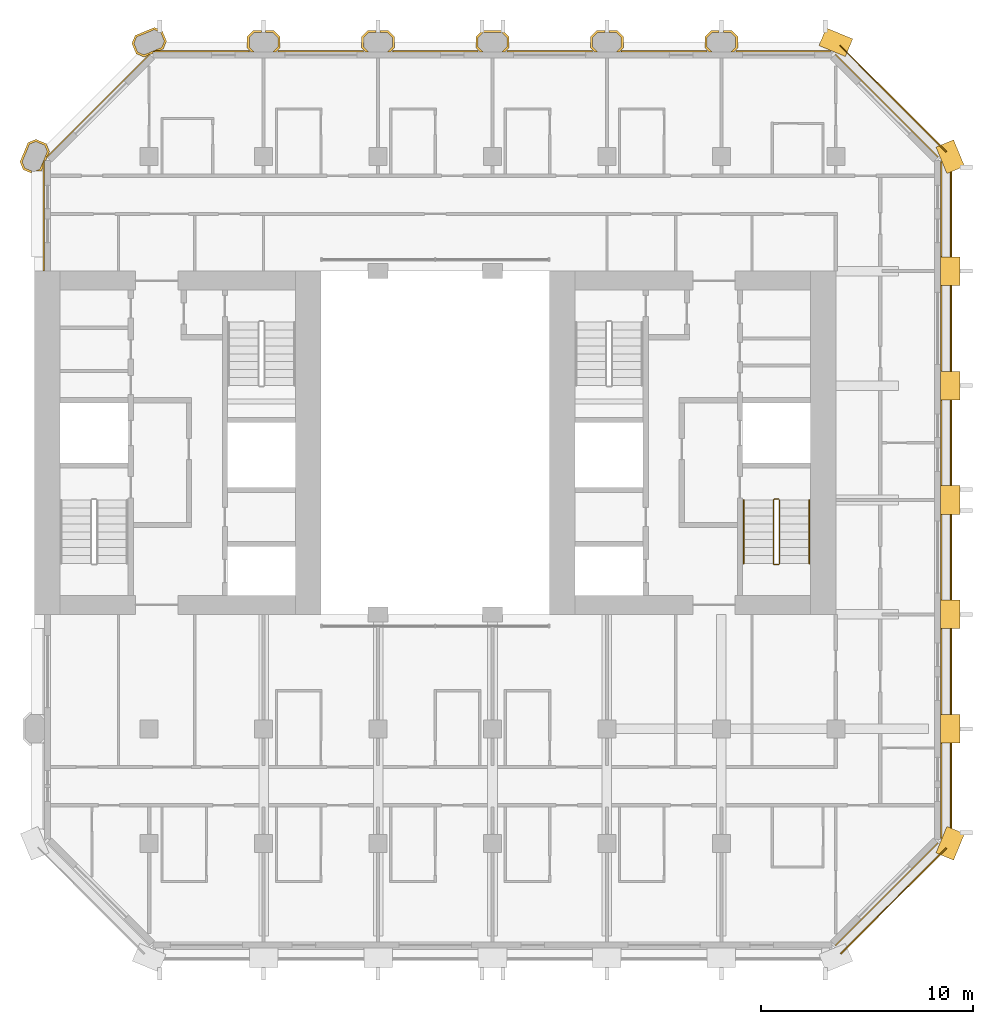
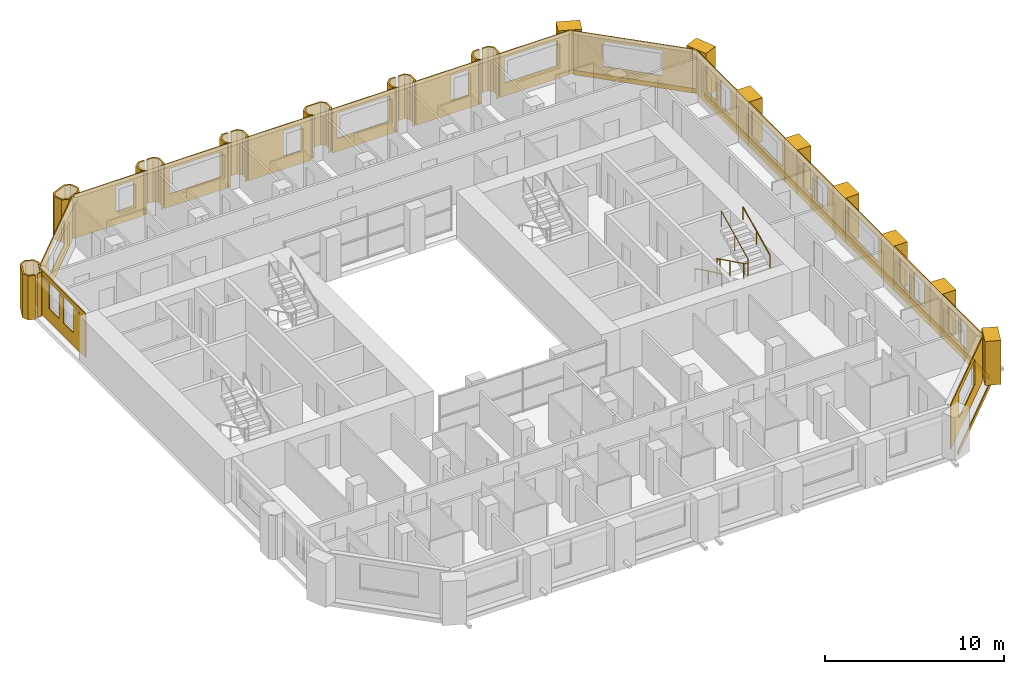
# One storey, part 13 of 13: 38 coverings, 3 railings.
"""IFC4 building model written with IfcOpenShell, lengths in metres."""

from ifc_helpers import new_model, si_unit, direction, frame, frame_2d, origin, origin_2d, place, context, subcontext, project, spatial, polyline, rectangle, circle, outline, extrude, material, layer, layer_set, type_object, element, save


model = new_model("IFC4")

# Units and contexts
model_context = context("Model", 3, precision=1e-05, world=origin(), true_north=direction((0.0, 1.0)))
body_context = subcontext(model_context, "Body", "Model", "MODEL_VIEW")
ifc_project = project(units=[si_unit("LENGTHUNIT", "METRE"), si_unit("AREAUNIT", "SQUARE_METRE"), si_unit("VOLUMEUNIT", "CUBIC_METRE"), si_unit("PLANEANGLEUNIT", "RADIAN"), si_unit("MASSUNIT", "GRAM", prefix="KILO")], contexts=[model_context])

# Site, building, storey
site_placement = place(None, origin())
site = spatial("IfcSite", under=ifc_project, at=site_placement, CompositionType="ELEMENT")
building_placement = place(site_placement, origin())
building = spatial("IfcBuilding", under=site, at=building_placement, Name="Tabaq Tower and Sports Hall", CompositionType="ELEMENT")
storey_placement = place(building_placement, frame((0.0, 0.0, 159.39990234375)))
storey = spatial("IfcBuildingStorey", under=building, at=storey_placement, Name="L37", CompositionType="ELEMENT", Elevation=159.39990234375)

# Coverings
ifc_material_1 = material(Name="Precast concrete C60/75", Category="concrete")
ifc_layer_1 = layer(ifc_material_1, 0.10009765625)
ifc_layer_set_1 = layer_set([ifc_layer_1], Name="Column cladding 100")
covering_type_1 = type_object("IfcCoveringType", Name="Column cladding 100", PredefinedType="CLADDING", material=ifc_layer_set_1)
covering_1_placement = place(storey_placement, origin())
element("IfcCovering", 1, at=covering_1_placement, inside=storey, type_object=covering_type_1, Name="Column cladding L37 PC-2H-H1", PredefinedType="CLADDING", context=body_context, shape_type="SweptSolid", body=[
    extrude(outline(polyline([(4.857421875, 37.186279296875), (4.7041015625, 37.556396484375), (5.080078125, 38.46435546875), (5.450439453125, 38.61767578125), (5.9423828125, 38.413818359375), (6.095947265625, 38.04345703125), (6.026123046875, 37.875), (5.9501953125, 37.799072265625), (5.9814453125, 37.767578125), (5.91796875, 37.614013671875), (5.849609375, 37.614013671875), (5.849609375, 37.55712890625), (5.789794921875, 37.55712890625), (5.789794921875, 37.304443359375), (5.7197265625, 37.1357421875), (5.694580078125, 37.125244140625), (5.434814453125, 37.125244140625), (5.643798828125, 37.2119140625), (5.98828125, 38.04345703125), (5.866455078125, 38.337646484375), (5.450439453125, 38.510009765625), (5.15625, 38.38818359375), (4.811767578125, 37.556396484375), (4.93359375, 37.26220703125), (5.26416015625, 37.125244140625), (5.249755859375, 37.125244140625), (5.249755859375, 37.023681640625), (4.857421875, 37.186279296875)])), origin(), (0.0, 0.0, 1.0), 3.0),
])
covering_2_placement = place(storey_placement, frame((0.0, 0.0, 0.10009765625)))
element("IfcCovering", 2, at=covering_2_placement, inside=storey, type_object=covering_type_1, Name="Column cladding L37 PC-3I-H1", PredefinedType="CLADDING", context=body_context, shape_type="SweptSolid", body=[
    extrude(outline(polyline([(9.982421875, 43.149658203125), (10.1357421875, 43.519775390625), (11.04345703125, 43.895751953125), (11.413818359375, 43.742431640625), (11.61767578125, 43.25048828125), (11.46435546875, 42.880126953125), (11.295654296875, 42.810302734375), (11.04296875, 42.810302734375), (11.04296875, 42.750244140625), (10.986083984375, 42.750244140625), (10.986083984375, 42.68212890625), (10.83251953125, 42.618408203125), (10.801025390625, 42.64990234375), (10.72509765625, 42.573974609375), (10.556396484375, 42.504150390625), (10.186279296875, 42.657470703125), (9.982421875, 43.149658203125)]), holes=[polyline([(11.510009765625, 43.25048828125), (11.337646484375, 43.66650390625), (11.04345703125, 43.788330078125), (10.2119140625, 43.44384765625), (10.08984375, 43.149658203125), (10.26220703125, 42.733642578125), (10.556396484375, 42.61181640625), (11.38818359375, 42.956298828125), (11.510009765625, 43.25048828125)])]), origin(), (0.0, 0.0, 1.0), 2.89990234375),
])
covering_3_placement = place(storey_placement, origin())
element("IfcCovering", 3, at=covering_3_placement, inside=storey, type_object=covering_type_1, Name="Column cladding L37 PC-4I-H1", PredefinedType="CLADDING", context=body_context, shape_type="SweptSolid", body=[
    extrude(outline(polyline([(16.69140625, 43.749755859375), (16.974609375, 43.46630859375), (16.974609375, 42.93359375), (16.791259765625, 42.750244140625), (16.650634765625, 42.750244140625), (16.875244140625, 42.974853515625), (16.875244140625, 43.425048828125), (16.650146484375, 43.650390625), (16.30029296875, 43.650390625), (16.30029296875, 43.749755859375), (16.69140625, 43.749755859375)])), origin(), (0.0, 0.0, 1.0), 3.0),
])
covering_4_placement = place(storey_placement, origin())
element("IfcCovering", 4, at=covering_4_placement, inside=storey, type_object=covering_type_1, Name="Column cladding L37 PC-4I-H1 2", PredefinedType="CLADDING", context=body_context, shape_type="SweptSolid", body=[
    extrude(outline(polyline([(15.42529296875, 43.46630859375), (15.708740234375, 43.749755859375), (16.099609375, 43.749755859375), (16.099609375, 43.650390625), (15.749755859375, 43.650390625), (15.524658203125, 43.425048828125), (15.524658203125, 42.974853515625), (15.749267578125, 42.750244140625), (15.608642578125, 42.750244140625), (15.42529296875, 42.93359375), (15.42529296875, 43.46630859375)])), origin(), (0.0, 0.0, 1.0), 3.0),
])
covering_5_placement = place(storey_placement, origin())
element("IfcCovering", 5, at=covering_5_placement, inside=storey, type_object=covering_type_1, Name="Column cladding L37 PC-5I-H1", PredefinedType="CLADDING", context=body_context, shape_type="SweptSolid", body=[
    extrude(outline(polyline([(22.09130859375, 43.749755859375), (22.374755859375, 43.46630859375), (22.374755859375, 42.93359375), (22.19140625, 42.750244140625), (22.05078125, 42.750244140625), (22.275390625, 42.974853515625), (22.275390625, 43.425048828125), (22.050048828125, 43.650390625), (21.7001953125, 43.650390625), (21.7001953125, 43.749755859375), (22.09130859375, 43.749755859375)])), origin(), (0.0, 0.0, 1.0), 3.0),
])
covering_6_placement = place(storey_placement, origin())
element("IfcCovering", 6, at=covering_6_placement, inside=storey, type_object=covering_type_1, Name="Column cladding L37 PC-5I-H1 2", PredefinedType="CLADDING", context=body_context, shape_type="SweptSolid", body=[
    extrude(outline(polyline([(20.8251953125, 43.46630859375), (21.108642578125, 43.749755859375), (21.499755859375, 43.749755859375), (21.499755859375, 43.650390625), (21.14990234375, 43.650390625), (20.9248046875, 43.425048828125), (20.9248046875, 42.974853515625), (21.149169921875, 42.750244140625), (21.0087890625, 42.750244140625), (20.8251953125, 42.93359375), (20.8251953125, 43.46630859375)])), origin(), (0.0, 0.0, 1.0), 3.0),
])
covering_7_placement = place(storey_placement, frame((0.0, 0.0, 0.10009765625)))
element("IfcCovering", 7, at=covering_7_placement, inside=storey, type_object=covering_type_1, Name="Column cladding L37 PC-6I-H1", PredefinedType="CLADDING", context=body_context, shape_type="SweptSolid", body=[
    extrude(outline(polyline([(26.225341796875, 43.46630859375), (26.5087890625, 43.749755859375), (27.4912109375, 43.749755859375), (27.774658203125, 43.46630859375), (27.774658203125, 42.93359375), (27.59130859375, 42.750244140625), (27.45068359375, 42.750244140625), (27.67529296875, 42.974853515625), (27.67529296875, 43.425048828125), (27.4501953125, 43.650390625), (26.5498046875, 43.650390625), (26.32470703125, 43.425048828125), (26.32470703125, 42.974853515625), (26.54931640625, 42.750244140625), (26.40869140625, 42.750244140625), (26.225341796875, 42.93359375), (26.225341796875, 43.46630859375)])), origin(), (0.0, 0.0, 1.0), 2.89990234375),
])
covering_8_placement = place(storey_placement, origin())
element("IfcCovering", 8, at=covering_8_placement, inside=storey, type_object=covering_type_1, Name="Column cladding L37 PC-7I-H1", PredefinedType="CLADDING", context=body_context, shape_type="SweptSolid", body=[
    extrude(outline(polyline([(31.625244140625, 43.46630859375), (31.90869140625, 43.749755859375), (32.2998046875, 43.749755859375), (32.2998046875, 43.650390625), (31.949951171875, 43.650390625), (31.724609375, 43.425048828125), (31.724609375, 42.974853515625), (31.94921875, 42.750244140625), (31.80859375, 42.750244140625), (31.625244140625, 42.93359375), (31.625244140625, 43.46630859375)])), origin(), (0.0, 0.0, 1.0), 3.0),
])
covering_9_placement = place(storey_placement, origin())
element("IfcCovering", 9, at=covering_9_placement, inside=storey, type_object=covering_type_1, Name="Column cladding L37 PC-7I-H1 2", PredefinedType="CLADDING", context=body_context, shape_type="SweptSolid", body=[
    extrude(outline(polyline([(32.891357421875, 43.749755859375), (33.1748046875, 43.46630859375), (33.1748046875, 42.93359375), (32.9912109375, 42.750244140625), (32.850830078125, 42.750244140625), (33.0751953125, 42.974853515625), (33.0751953125, 43.425048828125), (32.85009765625, 43.650390625), (32.500244140625, 43.650390625), (32.500244140625, 43.749755859375), (32.891357421875, 43.749755859375)])), origin(), (0.0, 0.0, 1.0), 3.0),
])
covering_10_placement = place(storey_placement, origin())
element("IfcCovering", 10, at=covering_10_placement, inside=storey, type_object=covering_type_1, Name="Column cladding L37 PC-8I-H1", PredefinedType="CLADDING", context=body_context, shape_type="SweptSolid", body=[
    extrude(outline(polyline([(37.025390625, 43.46630859375), (37.30859375, 43.749755859375), (37.69970703125, 43.749755859375), (37.69970703125, 43.650390625), (37.349853515625, 43.650390625), (37.124755859375, 43.425048828125), (37.124755859375, 42.974853515625), (37.349365234375, 42.750244140625), (37.208740234375, 42.750244140625), (37.025390625, 42.93359375), (37.025390625, 43.46630859375)])), origin(), (0.0, 0.0, 1.0), 3.0),
])
covering_11_placement = place(storey_placement, origin())
element("IfcCovering", 11, at=covering_11_placement, inside=storey, type_object=covering_type_1, Name="Column cladding L37 PC-8I-H1 2", PredefinedType="CLADDING", context=body_context, shape_type="SweptSolid", body=[
    extrude(outline(polyline([(38.291259765625, 43.749755859375), (38.57470703125, 43.46630859375), (38.57470703125, 42.93359375), (38.391357421875, 42.750244140625), (38.250732421875, 42.750244140625), (38.475341796875, 42.974853515625), (38.475341796875, 43.425048828125), (38.250244140625, 43.650390625), (37.900390625, 43.650390625), (37.900390625, 43.749755859375), (38.291259765625, 43.749755859375)])), origin(), (0.0, 0.0, 1.0), 3.0),
])
ifc_material_2 = material(Name="Precast concrete C60/75", Category="concrete")
ifc_layer_2 = layer(ifc_material_2, 0.06005859375)
ifc_layer_set_2 = layer_set([ifc_layer_2], Name="Edge beam cladding 60")
covering_type_2 = type_object("IfcCoveringType", Name="Edge beam cladding 60", PredefinedType="CLADDING", material=ifc_layer_set_2)
covering_12_placement = place(storey_placement, frame((43.432373046875, 0.18994140625, -0.2998046875), z_axis=(0.0, 0.0, 1.0), x_axis=(0.707106781187, 0.707106781187, 0.0)))
element("IfcCovering", 12, at=covering_12_placement, inside=storey, type_object=covering_type_2, Name="Edge beam cladding L37 2", PredefinedType="CLADDING", context=body_context, shape_type="SweptSolid", body=[
    extrude(rectangle(XDim=7.03955078125, YDim=0.06005859375, at=frame_2d((3.519775390625, 0.0))), origin(), (0.0, 0.0, 1.0), 0.2998046875),
])
covering_13_placement = place(storey_placement, frame((48.6298828125, 5.698486328125, -0.2998046875), z_axis=(0.0, 0.0, 1.0), x_axis=(0.0, 1.0, 0.0)))
element("IfcCovering", 13, at=covering_13_placement, inside=storey, type_object=covering_type_2, Name="Edge beam cladding L37 3", PredefinedType="CLADDING", context=body_context, shape_type="SweptSolid", body=[
    extrude(rectangle(XDim=31.802978515625, YDim=0.06005859375, at=frame_2d((15.9013671875, 0.0))), origin(), (0.0, 0.0, 1.0), 0.2998046875),
])
covering_14_placement = place(storey_placement, frame((48.41015625, 38.0322265625, -0.2998046875), z_axis=(0.0, 0.0, 1.0), x_axis=(-0.707106781187, 0.707106781187, 0.0)))
element("IfcCovering", 14, at=covering_14_placement, inside=storey, type_object=covering_type_2, Name="Edge beam cladding L37 4", PredefinedType="CLADDING", context=body_context, shape_type="SweptSolid", body=[
    extrude(rectangle(XDim=7.08837890625, YDim=0.06005859375, at=frame_2d((3.544189453125, 0.0))), origin(), (0.0, 0.0, 1.0), 0.2998046875),
])
ifc_material_3 = material(Name="White precast concrete C60/75", Category="concrete")
covering_type_3 = type_object("IfcCoveringType", Name="Pier cladding hung 1350x900", PredefinedType="CLADDING", material=ifc_material_3)
for number, where, z_axis, x_axis, name in (
    (15, (43.82373046875, 42.941650390625, 0.0), (0.0, 0.0, 1.0), (-0.923893411637, 0.382649923473, 0.0), "Hung pier cladding 8/8"),
    (16, (48.341796875, 4.7763671875, 0.0), (0.0, 0.0, 1.0), (0.382649923473, 0.923893411637, 0.0), "Hung pier cladding 9/1"),
    (17, (48.60009765625, 10.125, 0.0), (0.0, 0.0, 1.0), (0.0, 1.0, 0.0), "Hung pier cladding 9/2"),
    (18, (48.60009765625, 15.52490234375, 0.0), (0.0, 0.0, 1.0), (0.0, 1.0, 0.0), "Hung pier cladding 9/3"),
):
    element("IfcCovering", number, at=place(storey_placement, frame(where, z_axis=z_axis, x_axis=x_axis)), inside=storey, type_object=covering_type_3, Name=name, PredefinedType="CLADDING", context=body_context, shape_type="SweptSolid", body=[
        extrude(rectangle(XDim=1.35009765625, YDim=0.89990234375, at=frame_2d((0.675048828125, 0.0))), origin(), (0.0, 0.0, 1.0), 3.0),
    ])
covering_15_placement = place(storey_placement, frame((48.60009765625, 20.925048828125, 0.0), z_axis=(0.0, 0.0, 1.0), x_axis=(0.0, 1.0, 0.0)))
element("IfcCovering", 19, at=covering_15_placement, inside=storey, type_object=covering_type_3, Name="Hung pier cladding 9/4", PredefinedType="CLADDING", context=body_context, shape_type="SweptSolid", body=[
    extrude(rectangle(XDim=1.349853515625, YDim=0.89990234375, at=frame_2d((0.6748046875, 0.0))), origin(), (0.0, 0.0, 1.0), 3.0),
])
covering_16_placement = place(storey_placement, frame((48.60009765625, 26.324951171875, 0.0), z_axis=(0.0, 0.0, 1.0), x_axis=(0.0, 1.0, 0.0)))
element("IfcCovering", 20, at=covering_16_placement, inside=storey, type_object=covering_type_3, Name="Hung pier cladding 9/5", PredefinedType="CLADDING", context=body_context, shape_type="SweptSolid", body=[
    extrude(rectangle(XDim=1.35009765625, YDim=0.89990234375, at=frame_2d((0.675048828125, 0.0))), origin(), (0.0, 0.0, 1.0), 3.0),
])
covering_17_placement = place(storey_placement, frame((48.60009765625, 31.72509765625, 0.0), z_axis=(0.0, 0.0, 1.0), x_axis=(0.0, 1.0, 0.0)))
element("IfcCovering", 21, at=covering_17_placement, inside=storey, type_object=covering_type_3, Name="Hung pier cladding 9/6", PredefinedType="CLADDING", context=body_context, shape_type="SweptSolid", body=[
    extrude(rectangle(XDim=1.349853515625, YDim=0.89990234375, at=frame_2d((0.6748046875, 0.0))), origin(), (0.0, 0.0, 1.0), 3.0),
])
covering_18_placement = place(storey_placement, frame((48.8583984375, 37.17626953125, 0.0), z_axis=(0.0, 0.0, 1.0), x_axis=(-0.382649923473, 0.923893411637, 0.0)))
element("IfcCovering", 22, at=covering_18_placement, inside=storey, type_object=covering_type_3, Name="Hung pier cladding 9/7", PredefinedType="CLADDING", context=body_context, shape_type="SweptSolid", body=[
    extrude(rectangle(XDim=1.35009765625, YDim=0.89990234375, at=frame_2d((0.675048828125, 0.0))), origin(), (0.0, 0.0, 1.0), 3.0),
])

# Railings
ifc_material_4 = material(Name="Stainless steel", Category="steel")
railing_type_1 = type_object("IfcRailingType", Name="Stair guard", PredefinedType="GUARDRAIL", material=ifc_material_4)
railing_1_placement = place(storey_placement, frame((40.5, 21.64990234375, 0.0)))
element("IfcRailing", 23, at=railing_1_placement, inside=storey, type_object=railing_type_1, Name="L37 ST3 stair guard 1", PredefinedType="GUARDRAIL", context=body_context, shape_type="SweptSolid", body=[
    extrude(circle(Radius=0.02392578125, at=origin_2d()), frame((0.0, 0.0, 1.076171875), z_axis=(-1.0, 0.0, 0.0), x_axis=(0.0, -1.0, 0.0)), (0.0, 0.0, 1.0), 0.199951171875),
    extrude(circle(Radius=0.02392578125, at=origin_2d()), frame((-0.199951171875, 0.0, 1.076171875), z_axis=(-0.254733673405, -0.25349107012, 0.933195066962), x_axis=(0.705375805398, -0.708833529934, 0.0)), (0.0, 0.0, 1.0), 0.196533203125),
    extrude(circle(Radius=0.02392578125, at=origin_2d()), frame((-0.25, -0.0498046875, 1.25927734375), z_axis=(0.0, -0.898368975038, 0.439241601728), x_axis=(1.0, 0.0, 0.0)), (0.0, 0.0, 1.0), 3.33935546875),
    extrude(circle(Radius=0.02392578125, at=origin_2d()), frame((-0.25, -3.0498046875, 2.72607421875), z_axis=(0.707106781187, -0.707106781187, 0.0), x_axis=(0.707106781187, 0.707106781187, 0.0)), (0.0, 0.0, 1.0), 0.07080078125),
    extrude(circle(Radius=0.02392578125, at=origin_2d()), frame((-0.199951171875, -3.099853515625, 2.72607421875), z_axis=(1.0, 0.0, 0.0), x_axis=(0.0, 1.0, 0.0)), (0.0, 0.0, 1.0), 0.199951171875),
    extrude(circle(Radius=0.02392578125, at=origin_2d()), frame((0.0, -3.099853515625, 2.72607421875), z_axis=(0.254653276557, 0.254653276557, 0.932900539971), x_axis=(-0.707106781187, 0.707106781187, 0.0)), (0.0, 0.0, 1.0), 0.196533203125),
    extrude(circle(Radius=0.02392578125, at=origin_2d()), frame((0.050048828125, -3.0498046875, 2.90966796875), z_axis=(0.0, 0.898397823093, 0.439182594671), x_axis=(-1.0, 0.0, 0.0)), (0.0, 0.0, 1.0), 3.33935546875),
    extrude(circle(Radius=0.02099609375, at=origin_2d()), origin(), (0.0, 0.0, 1.0), 1.052001953125),
    extrude(circle(Radius=0.02099609375, at=origin_2d()), frame((-0.199951171875, 0.0, 0.0)), (0.0, 0.0, 1.0), 1.052001953125),
    extrude(circle(Radius=0.02099609375, at=origin_2d()), frame((-0.25, -0.0498046875, 0.183349609375)), (0.0, 0.0, 1.0), 1.052001953125),
    extrude(circle(Radius=0.02099609375, at=origin_2d()), frame((-0.25, -1.5498046875, 0.916748046875)), (0.0, 0.0, 1.0), 1.052001953125),
    extrude(circle(Radius=0.02099609375, at=origin_2d()), frame((-0.25, -3.0498046875, 1.650146484375)), (0.0, 0.0, 1.0), 1.052001953125),
    extrude(circle(Radius=0.02099609375, at=origin_2d()), frame((-0.199951171875, -3.099853515625, 1.650146484375)), (0.0, 0.0, 1.0), 1.052001953125),
    extrude(circle(Radius=0.02099609375, at=origin_2d()), frame((0.0, -3.099853515625, 1.650146484375)), (0.0, 0.0, 1.0), 1.052001953125),
    extrude(circle(Radius=0.02099609375, at=origin_2d()), frame((0.050048828125, -3.0498046875, 1.83349609375)), (0.0, 0.0, 1.0), 1.052001953125),
    extrude(circle(Radius=0.02099609375, at=origin_2d()), frame((0.050048828125, -1.5498046875, 2.56689453125)), (0.0, 0.0, 1.0), 1.052001953125),
    extrude(circle(Radius=0.02099609375, at=origin_2d()), frame((0.050048828125, -0.0498046875, 3.300048828125)), (0.0, 0.0, 1.0), 1.052001953125),
])
ifc_material_5 = material(Name="Stainless steel", Category="steel")
railing_type_2 = type_object("IfcRailingType", Name="Stair handrail", PredefinedType="HANDRAIL", material=ifc_material_5)
railing_2_placement = place(storey_placement, frame((38.85009765625, 21.60009765625, 0.183349609375)))
element("IfcRailing", 24, at=railing_2_placement, inside=storey, type_object=railing_type_2, Name="L37 ST3 stair handrail 1", PredefinedType="HANDRAIL", context=body_context, shape_type="SweptSolid", body=[
    extrude(circle(Radius=0.02392578125, at=origin_2d()), frame((0.0, 0.0, 0.8759765625), z_axis=(0.0, -0.898368975038, 0.439241601728), x_axis=(1.0, 0.0, 0.0)), (0.0, 0.0, 1.0), 3.33935546875),
    extrude(circle(Radius=0.02099609375, at=origin_2d()), origin(), (0.0, 0.0, 1.0), 0.851806640625),
    extrude(circle(Radius=0.02099609375, at=origin_2d()), frame((0.0, -1.5, 0.7333984375)), (0.0, 0.0, 1.0), 0.851806640625),
    extrude(circle(Radius=0.02099609375, at=origin_2d()), frame((0.0, -3.0, 1.466796875)), (0.0, 0.0, 1.0), 0.851806640625),
])
railing_3_placement = place(storey_placement, frame((41.949951171875, 18.60009765625, 1.83349609375)))
element("IfcRailing", 25, at=railing_3_placement, inside=storey, type_object=railing_type_2, Name="L37 ST3 stair handrail 2", PredefinedType="HANDRAIL", context=body_context, shape_type="SweptSolid", body=[
    extrude(circle(Radius=0.02392578125, at=origin_2d()), frame((0.0, 0.0, 0.8759765625), z_axis=(0.0, 0.898397823093, 0.439182594671), x_axis=(-1.0, 0.0, 0.0)), (0.0, 0.0, 1.0), 3.33935546875),
    extrude(circle(Radius=0.02099609375, at=origin_2d()), origin(), (0.0, 0.0, 1.0), 0.851806640625),
    extrude(circle(Radius=0.02099609375, at=origin_2d()), frame((0.0, 1.5, 0.7333984375)), (0.0, 0.0, 1.0), 0.851806640625),
    extrude(circle(Radius=0.02099609375, at=origin_2d()), frame((0.0, 3.0, 1.466552734375)), (0.0, 0.0, 1.0), 0.851806640625),
])

# Coverings
ifc_material_6 = material(Name="Precast concrete C60/75", Category="concrete")
ifc_layer_3 = layer(ifc_material_6, 0.06005859375)
ifc_layer_set_3 = layer_set([ifc_layer_3], Name="White precast cladding panel 60 C60/75")
covering_type_4 = type_object("IfcCoveringType", Name="White precast cladding panel 60 C60/75", PredefinedType="CLADDING", material=ifc_layer_set_3)
covering_19_placement = place(storey_placement, frame((43.177734375, 0.57177734375, 0.0), z_axis=(0.0, 0.0, 1.0), x_axis=(0.707106781187, 0.707106781187, 0.0)))
element("IfcCovering", 26, at=covering_19_placement, inside=storey, type_object=covering_type_4, Name="White precast cladding panel L37 wall01", PredefinedType="CLADDING", context=body_context, shape_type="SweptSolid", body=[
    extrude(outline(polyline([(0.0, 0.0), (6.85986328125, 0.0), (6.85986328125, 3.0), (0.0, 3.0), (0.0, 0.0)]), holes=[polyline([(1.7197265625, 0.89013671875), (1.7197265625, 2.610107421875), (5.139892578125, 2.610107421875), (5.139892578125, 0.89013671875), (1.7197265625, 0.89013671875)])]), frame((0.0, 0.030029296875, 0.0), z_axis=(0.0, -1.0, 0.0), x_axis=(1.0, 0.0, 0.0)), (0.0, 0.0, 1.0), 0.06005859375),
])
covering_20_placement = place(storey_placement, frame((48.179931640625, 5.64306640625, 0.0), z_axis=(0.0, 0.0, 1.0), x_axis=(0.0, 1.0, 0.0)))
element("IfcCovering", 27, at=covering_20_placement, inside=storey, type_object=covering_type_4, Name="White precast cladding panel L37 wall02", PredefinedType="CLADDING", context=body_context, shape_type="SweptSolid", body=[
    extrude(outline(polyline([(0.0, 0.0), (4.471923828125, 0.0), (4.471923828125, 3.0), (0.0, 3.0), (0.0, 0.0)]), holes=[polyline([(1.721923828125, 2.610107421875), (2.391845703125, 2.610107421875), (2.391845703125, 0.89013671875), (1.721923828125, 0.89013671875), (1.721923828125, 2.610107421875)]), polyline([(2.69677734375, 2.610107421875), (3.81689453125, 2.610107421875), (3.81689453125, 0.89013671875), (2.69677734375, 0.89013671875), (2.69677734375, 2.610107421875)])]), frame((0.0, 0.030029296875, 0.0), z_axis=(0.0, -1.0, 0.0), x_axis=(1.0, 0.0, 0.0)), (0.0, 0.0, 1.0), 0.06005859375),
])
covering_21_placement = place(storey_placement, frame((48.179931640625, 11.485107421875, 0.0), z_axis=(0.0, 0.0, 1.0), x_axis=(0.0, 1.0, 0.0)))
element("IfcCovering", 28, at=covering_21_placement, inside=storey, type_object=covering_type_4, Name="White precast cladding panel L37 wall02 2", PredefinedType="CLADDING", context=body_context, shape_type="SweptSolid", body=[
    extrude(outline(polyline([(0.0, 0.0), (4.02978515625, 0.0), (4.02978515625, 3.0), (0.0, 3.0), (0.0, 0.0)]), holes=[polyline([(0.655029296875, 2.610107421875), (1.77490234375, 2.610107421875), (1.77490234375, 0.89013671875), (0.655029296875, 0.89013671875), (0.655029296875, 2.610107421875)]), polyline([(2.2548828125, 2.610107421875), (3.375, 2.610107421875), (3.375, 0.89013671875), (2.2548828125, 0.89013671875), (2.2548828125, 2.610107421875)])]), frame((0.0, 0.030029296875, 0.0), z_axis=(0.0, -1.0, 0.0), x_axis=(1.0, 0.0, 0.0)), (0.0, 0.0, 1.0), 0.06005859375),
])
covering_22_placement = place(storey_placement, frame((48.179931640625, 16.885009765625, 0.0), z_axis=(0.0, 0.0, 1.0), x_axis=(0.0, 1.0, 0.0)))
element("IfcCovering", 29, at=covering_22_placement, inside=storey, type_object=covering_type_4, Name="White precast cladding panel L37 wall02 3", PredefinedType="CLADDING", context=body_context, shape_type="SweptSolid", body=[
    extrude(outline(polyline([(0.0, 0.0), (4.030029296875, 0.0), (4.030029296875, 3.0), (0.0, 3.0), (0.0, 0.0)]), holes=[polyline([(0.304931640625, 0.89013671875), (0.304931640625, 2.610107421875), (3.72509765625, 2.610107421875), (3.72509765625, 0.89013671875), (0.304931640625, 0.89013671875)])]), frame((0.0, 0.030029296875, 0.0), z_axis=(0.0, -1.0, 0.0), x_axis=(1.0, 0.0, 0.0)), (0.0, 0.0, 1.0), 0.06005859375),
])
covering_23_placement = place(storey_placement, frame((48.179931640625, 22.284912109375, 0.0), z_axis=(0.0, 0.0, 1.0), x_axis=(0.0, 1.0, 0.0)))
element("IfcCovering", 30, at=covering_23_placement, inside=storey, type_object=covering_type_4, Name="White precast cladding panel L37 wall02 4", PredefinedType="CLADDING", context=body_context, shape_type="SweptSolid", body=[
    extrude(outline(polyline([(0.0, 0.0), (4.030029296875, 0.0), (4.030029296875, 3.0), (0.0, 3.0), (0.0, 0.0)]), holes=[polyline([(0.655029296875, 2.610107421875), (1.77490234375, 2.610107421875), (1.77490234375, 0.89013671875), (0.655029296875, 0.89013671875), (0.655029296875, 2.610107421875)]), polyline([(2.2548828125, 2.610107421875), (3.375, 2.610107421875), (3.375, 0.89013671875), (2.2548828125, 0.89013671875), (2.2548828125, 2.610107421875)])]), frame((0.0, 0.030029296875, 0.0), z_axis=(0.0, -1.0, 0.0), x_axis=(1.0, 0.0, 0.0)), (0.0, 0.0, 1.0), 0.06005859375),
])
covering_24_placement = place(storey_placement, frame((48.179931640625, 27.68505859375, 0.0), z_axis=(0.0, 0.0, 1.0), x_axis=(0.0, 1.0, 0.0)))
element("IfcCovering", 31, at=covering_24_placement, inside=storey, type_object=covering_type_4, Name="White precast cladding panel L37 wall02 5", PredefinedType="CLADDING", context=body_context, shape_type="SweptSolid", body=[
    extrude(outline(polyline([(0.0, 0.0), (4.030029296875, 0.0), (4.030029296875, 3.0), (0.0, 3.0), (0.0, 0.0)]), holes=[polyline([(0.304931640625, 0.89013671875), (0.304931640625, 2.610107421875), (3.72509765625, 2.610107421875), (3.72509765625, 0.89013671875), (0.304931640625, 0.89013671875)])]), frame((0.0, 0.030029296875, 0.0), z_axis=(0.0, -1.0, 0.0), x_axis=(1.0, 0.0, 0.0)), (0.0, 0.0, 1.0), 0.06005859375),
])
covering_25_placement = place(storey_placement, frame((48.179931640625, 33.0849609375, 0.0), z_axis=(0.0, 0.0, 1.0), x_axis=(0.0, 1.0, 0.0)))
element("IfcCovering", 32, at=covering_25_placement, inside=storey, type_object=covering_type_4, Name="White precast cladding panel L37 wall02 6", PredefinedType="CLADDING", context=body_context, shape_type="SweptSolid", body=[
    extrude(outline(polyline([(0.0, 0.0), (4.471923828125, 0.0), (4.471923828125, 3.0), (0.0, 3.0), (0.0, 0.0)]), holes=[polyline([(0.655029296875, 2.610107421875), (1.77490234375, 2.610107421875), (1.77490234375, 0.89013671875), (0.655029296875, 0.89013671875), (0.655029296875, 2.610107421875)]), polyline([(2.2548828125, 2.610107421875), (3.375, 2.610107421875), (3.375, 0.89013671875), (2.2548828125, 0.89013671875), (2.2548828125, 2.610107421875)])]), frame((0.0, 0.030029296875, 0.0), z_axis=(0.0, -1.0, 0.0), x_axis=(1.0, 0.0, 0.0)), (0.0, 0.0, 1.0), 0.06005859375),
])
covering_26_placement = place(storey_placement, frame((48.0283203125, 37.77783203125, 0.0), z_axis=(0.0, 0.0, 1.0), x_axis=(-0.707124576528, 0.707088985397, 0.0)))
element("IfcCovering", 33, at=covering_26_placement, inside=storey, type_object=covering_type_4, Name="White precast cladding panel L37 wall03", PredefinedType="CLADDING", context=body_context, shape_type="SweptSolid", body=[
    extrude(outline(polyline([(0.0, 0.0), (6.859619140625, 0.0), (6.859619140625, 3.0), (0.0, 3.0), (0.0, 0.0)]), holes=[polyline([(1.7197265625, 0.89013671875), (1.7197265625, 2.610107421875), (5.139892578125, 2.610107421875), (5.139892578125, 0.89013671875), (1.7197265625, 0.89013671875)])]), frame((0.0, 0.030029296875, 0.0), z_axis=(0.0, -1.0, 0.0), x_axis=(1.0, 0.0, 0.0)), (0.0, 0.0, 1.0), 0.06005859375),
])
covering_27_placement = place(storey_placement, frame((42.956787109375, 42.780029296875, 0.0), z_axis=(0.0, 0.0, 1.0), x_axis=(-1.0, 0.0, 0.0)))
element("IfcCovering", 34, at=covering_27_placement, inside=storey, type_object=covering_type_4, Name="White precast cladding panel L37 wall04", PredefinedType="CLADDING", context=body_context, shape_type="SweptSolid", body=[
    extrude(outline(polyline([(0.0, 0.0), (4.4716796875, 0.0), (4.4716796875, 3.0), (0.0, 3.0), (0.0, 0.0)]), holes=[polyline([(0.746826171875, 0.89013671875), (0.746826171875, 2.610107421875), (4.166748046875, 2.610107421875), (4.166748046875, 0.89013671875), (0.746826171875, 0.89013671875)])]), frame((0.0, 0.030029296875, 0.0), z_axis=(0.0, -1.0, 0.0), x_axis=(1.0, 0.0, 0.0)), (0.0, 0.0, 1.0), 0.06005859375),
])
covering_28_placement = place(storey_placement, frame((37.114990234375, 42.780029296875, 0.0), z_axis=(0.0, 0.0, 1.0), x_axis=(-1.0, 0.0, 0.0)))
element("IfcCovering", 35, at=covering_28_placement, inside=storey, type_object=covering_type_4, Name="White precast cladding panel L37 wall04 2", PredefinedType="CLADDING", context=body_context, shape_type="SweptSolid", body=[
    extrude(outline(polyline([(0.0, 0.0), (4.030029296875, 0.0), (4.030029296875, 3.0), (0.0, 3.0), (0.0, 0.0)]), holes=[polyline([(0.655029296875, 0.89013671875), (0.655029296875, 2.610107421875), (1.77490234375, 2.610107421875), (1.77490234375, 0.89013671875), (0.655029296875, 0.89013671875)])]), frame((0.0, 0.030029296875, 0.0), z_axis=(0.0, -1.0, 0.0), x_axis=(1.0, 0.0, 0.0)), (0.0, 0.0, 1.0), 0.06005859375),
])
covering_29_placement = place(storey_placement, frame((31.715087890625, 42.780029296875, 0.0), z_axis=(0.0, 0.0, 1.0), x_axis=(-1.0, 0.0, 0.0)))
element("IfcCovering", 36, at=covering_29_placement, inside=storey, type_object=covering_type_4, Name="White precast cladding panel L37 wall04 3", PredefinedType="CLADDING", context=body_context, shape_type="SweptSolid", body=[
    extrude(outline(polyline([(0.0, 0.0), (4.030029296875, 0.0), (4.030029296875, 3.0), (0.0, 3.0), (0.0, 0.0)]), holes=[polyline([(0.304931640625, 0.89013671875), (0.304931640625, 2.610107421875), (3.72509765625, 2.610107421875), (3.72509765625, 0.89013671875), (0.304931640625, 0.89013671875)])]), frame((0.0, 0.030029296875, 0.0), z_axis=(0.0, -1.0, 0.0), x_axis=(1.0, 0.0, 0.0)), (0.0, 0.0, 1.0), 0.06005859375),
])
covering_30_placement = place(storey_placement, frame((26.31494140625, 42.780029296875, 0.0), z_axis=(0.0, 0.0, 1.0), x_axis=(-1.0, 0.0, 0.0)))
element("IfcCovering", 37, at=covering_30_placement, inside=storey, type_object=covering_type_4, Name="White precast cladding panel L37 wall04 4", PredefinedType="CLADDING", context=body_context, shape_type="SweptSolid", body=[
    extrude(outline(polyline([(0.0, 0.0), (4.030029296875, 0.0), (4.030029296875, 3.0), (0.0, 3.0), (0.0, 0.0)]), holes=[polyline([(0.655029296875, 0.89013671875), (0.655029296875, 2.610107421875), (1.77490234375, 2.610107421875), (1.77490234375, 0.89013671875), (0.655029296875, 0.89013671875)])]), frame((0.0, 0.030029296875, 0.0), z_axis=(0.0, -1.0, 0.0), x_axis=(1.0, 0.0, 0.0)), (0.0, 0.0, 1.0), 0.06005859375),
])
covering_31_placement = place(storey_placement, frame((20.9150390625, 42.780029296875, 0.0), z_axis=(0.0, 0.0, 1.0), x_axis=(-1.0, 0.0, 0.0)))
element("IfcCovering", 38, at=covering_31_placement, inside=storey, type_object=covering_type_4, Name="White precast cladding panel L37 wall04 5", PredefinedType="CLADDING", context=body_context, shape_type="SweptSolid", body=[
    extrude(outline(polyline([(0.0, 0.0), (4.030029296875, 0.0), (4.030029296875, 3.0), (0.0, 3.0), (0.0, 0.0)]), holes=[polyline([(0.304931640625, 0.89013671875), (0.304931640625, 2.610107421875), (3.72509765625, 2.610107421875), (3.72509765625, 0.89013671875), (0.304931640625, 0.89013671875)])]), frame((0.0, 0.030029296875, 0.0), z_axis=(0.0, -1.0, 0.0), x_axis=(1.0, 0.0, 0.0)), (0.0, 0.0, 1.0), 0.06005859375),
])
covering_32_placement = place(storey_placement, frame((15.514892578125, 42.780029296875, 0.0), z_axis=(0.0, 0.0, 1.0), x_axis=(-1.0, 0.0, 0.0)))
element("IfcCovering", 39, at=covering_32_placement, inside=storey, type_object=covering_type_4, Name="White precast cladding panel L37 wall04 6", PredefinedType="CLADDING", context=body_context, shape_type="SweptSolid", body=[
    extrude(outline(polyline([(0.0, 0.0), (4.4716796875, 0.0), (4.4716796875, 3.0), (0.0, 3.0), (0.0, 0.0)]), holes=[polyline([(0.655029296875, 0.89013671875), (0.655029296875, 2.610107421875), (1.77490234375, 2.610107421875), (1.77490234375, 0.89013671875), (0.655029296875, 0.89013671875)])]), frame((0.0, 0.030029296875, 0.0), z_axis=(0.0, -1.0, 0.0), x_axis=(1.0, 0.0, 0.0)), (0.0, 0.0, 1.0), 0.06005859375),
])
covering_33_placement = place(storey_placement, frame((10.822265625, 42.628173828125, 0.0), z_axis=(0.0, 0.0, 1.0), x_axis=(-0.707124576528, -0.707088985397, 0.0)))
element("IfcCovering", 40, at=covering_33_placement, inside=storey, type_object=covering_type_4, Name="White precast cladding panel L37 wall05", PredefinedType="CLADDING", context=body_context, shape_type="SweptSolid", body=[
    extrude(outline(polyline([(0.0, 0.0), (6.859619140625, 0.0), (6.859619140625, 3.0), (0.0, 3.0), (0.0, 0.0)]), holes=[polyline([(1.7197265625, 0.89013671875), (1.7197265625, 2.610107421875), (5.139892578125, 2.610107421875), (5.139892578125, 0.89013671875), (1.7197265625, 0.89013671875)])]), frame((0.0, 0.030029296875, 0.0), z_axis=(0.0, -1.0, 0.0), x_axis=(1.0, 0.0, 0.0)), (0.0, 0.0, 1.0), 0.06005859375),
])
covering_34_placement = place(storey_placement, frame((5.820068359375, 37.556884765625, 0.0), z_axis=(0.0, 0.0, 1.0), x_axis=(0.0, -1.0, 0.0)))
element("IfcCovering", 41, at=covering_34_placement, inside=storey, type_object=covering_type_4, Name="White precast cladding panel L37 wall06", PredefinedType="CLADDING", context=body_context, shape_type="SweptSolid", body=[
    extrude(outline(polyline([(0.0, 0.0), (5.156982421875, 0.0), (5.156982421875, 3.0), (0.0, 3.0), (0.0, 0.0)]), holes=[polyline([(1.096923828125, 2.590087890625), (0.421875, 2.590087890625), (0.421875, 2.710205078125), (4.491943359375, 2.710205078125), (4.491943359375, 2.590087890625), (3.81689453125, 2.590087890625), (3.81689453125, 0.89013671875), (2.69677734375, 0.89013671875), (2.69677734375, 2.590087890625), (2.216796875, 2.590087890625), (2.216796875, 0.89013671875), (1.096923828125, 0.89013671875), (1.096923828125, 2.590087890625)])]), frame((0.0, 0.030029296875, 0.0), z_axis=(0.0, -1.0, 0.0), x_axis=(1.0, 0.0, 0.0)), (0.0, 0.0, 1.0), 0.06005859375),
])

save(model, "model.ifc")
